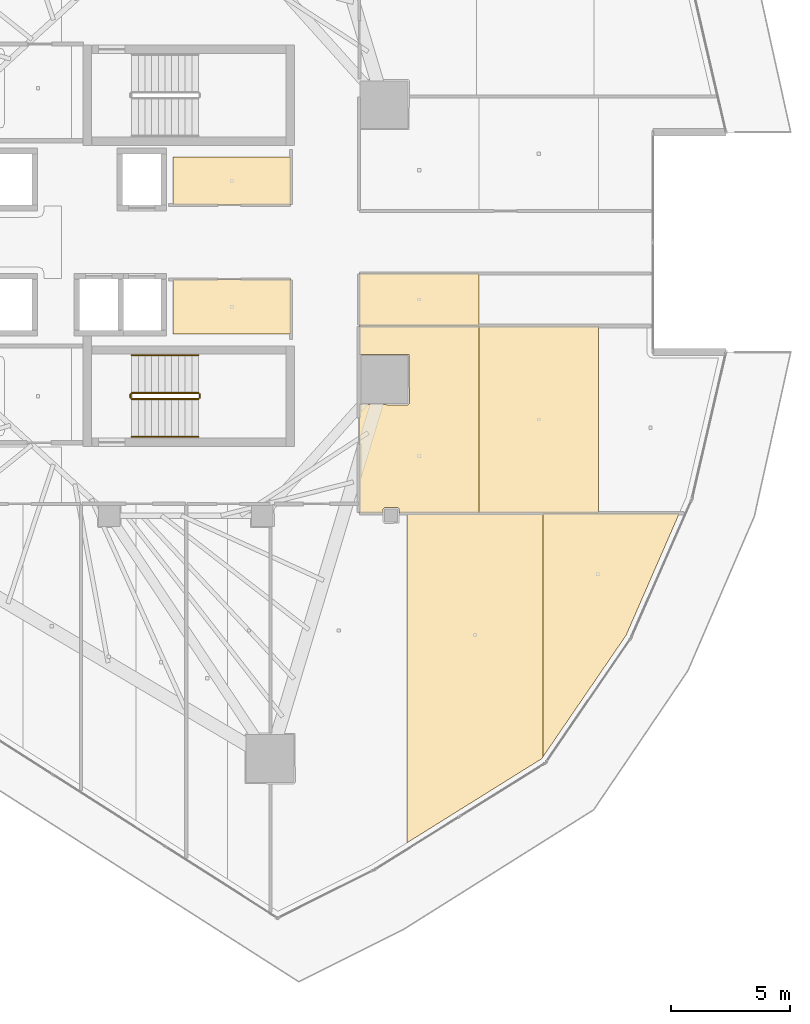
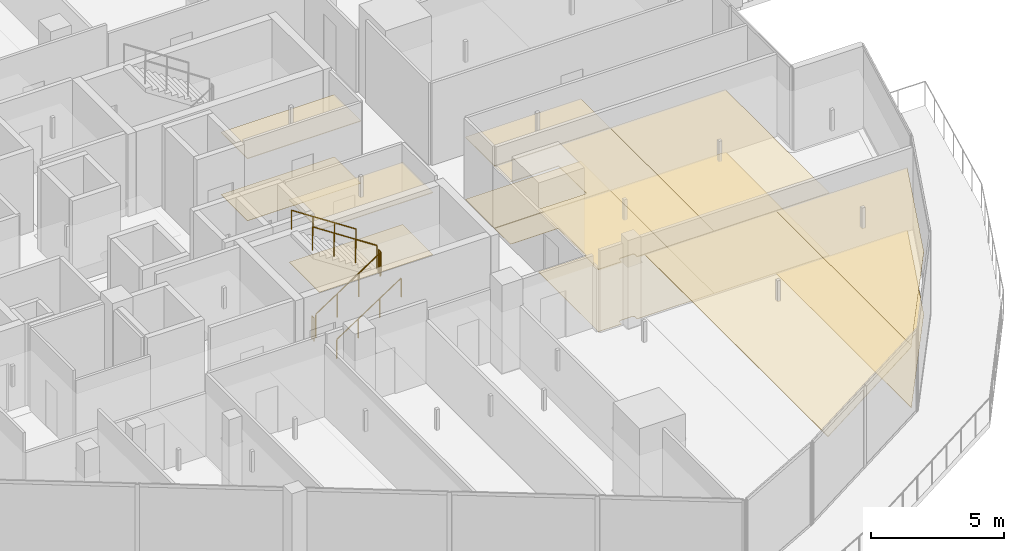
# One storey, part 34 of 37: 13 coverings, 6 railings.
"""IFC4 building model written with IfcOpenShell, lengths in metres."""

from ifc_helpers import new_model, si_unit, direction, frame, origin, origin_2d, place, context, subcontext, project, spatial, polyline, circle, outline, extrude, material, layer, layer_set, type_object, element, save


model = new_model("IFC4")

# Units and contexts
model_context = context("Model", 3, precision=1e-05, world=origin(), true_north=direction((0.0, 1.0)))
body_context = subcontext(model_context, "Body", "Model", "MODEL_VIEW")
ifc_project = project(units=[si_unit("LENGTHUNIT", "METRE"), si_unit("AREAUNIT", "SQUARE_METRE"), si_unit("VOLUMEUNIT", "CUBIC_METRE"), si_unit("PLANEANGLEUNIT", "RADIAN"), si_unit("MASSUNIT", "GRAM", prefix="KILO")], contexts=[model_context])

# Site, building, storey
site_placement = place(None, origin())
site = spatial("IfcSite", under=ifc_project, at=site_placement, CompositionType="ELEMENT")
building_placement = place(site_placement, origin())
building = spatial("IfcBuilding", under=site, at=building_placement, Name="Qorvath Tower", CompositionType="ELEMENT")
storey_placement = place(building_placement, frame((0.0, 0.0, 188.85009765625)))
storey = spatial("IfcBuildingStorey", under=building, at=storey_placement, Name="L43", CompositionType="ELEMENT", Elevation=188.85009765625)

# Coverings
ifc_material_1 = material(Name="Acoustic mineral fibre ceiling tile", Category="gypsum")
ifc_layer_1 = layer(ifc_material_1, 0.030029296875)
ifc_layer_set_1 = layer_set([ifc_layer_1], Name="COV-CEIL")
covering_type_1 = type_object("IfcCoveringType", Name="COV-CEIL", PredefinedType="CEILING", material=ifc_layer_set_1)
covering_1_placement = place(storey_placement, frame((0.0, 0.0, 2.849853515625)))
element("IfcCovering", 1, at=covering_1_placement, inside=storey, type_object=covering_type_1, Name="L43 Suspended Acoustic Ceiling 003", PredefinedType="CEILING", context=body_context, shape_type="SweptSolid", body=[
    extrude(outline(polyline([(-16.0048828125, 3.56005859375), (-20.93994140625, 3.56005859375), (-20.93994140625, 1.56494140625), (-16.0048828125, 1.56494140625), (-16.0048828125, 3.56005859375)])), origin(), (0.0, 0.0, 1.0), 0.030029296875),
])
covering_2_placement = place(storey_placement, frame((0.0, 0.0, 2.849853515625)))
element("IfcCovering", 2, at=covering_2_placement, inside=storey, type_object=covering_type_1, Name="L43 Suspended Acoustic Ceiling 004", PredefinedType="CEILING", context=body_context, shape_type="SweptSolid", body=[
    extrude(outline(polyline([(-20.93994140625, -1.56494140625), (-20.93994140625, -3.85009765625), (-16.0048828125, -3.85009765625), (-16.0048828125, -1.56494140625), (-20.93994140625, -1.56494140625)])), origin(), (0.0, 0.0, 1.0), 0.030029296875),
])
covering_3_placement = place(storey_placement, frame((0.0, 0.0, 2.849853515625)))
element("IfcCovering", 3, at=covering_3_placement, inside=storey, type_object=covering_type_1, Name="L43 Suspended Acoustic Ceiling 028", PredefinedType="CEILING", context=body_context, shape_type="SweptSolid", body=[
    extrude(outline(polyline([(-11.142578125, -11.35888671875), (-11.142578125, -25.159912109375), (-5.496826171875, -21.637451171875), (-5.438720703125, -21.55224609375), (-5.438720703125, -11.361083984375), (-11.142578125, -11.35888671875)])), origin(), (0.0, 0.0, 1.0), 0.030029296875),
])
covering_4_placement = place(storey_placement, frame((0.0, 0.0, 2.849853515625)))
element("IfcCovering", 4, at=covering_4_placement, inside=storey, type_object=covering_type_1, Name="L43 Suspended Acoustic Ceiling 029", PredefinedType="CEILING", context=body_context, shape_type="SweptSolid", body=[
    extrude(outline(polyline([(-5.438720703125, -11.361083984375), (-5.438720703125, -21.55224609375), (-1.960205078125, -16.465087890625), (0.265380859375, -11.36328125), (-5.438720703125, -11.361083984375)])), origin(), (0.0, 0.0, 1.0), 0.030029296875),
])
covering_5_placement = place(storey_placement, frame((0.0, 0.0, 2.849853515625)))
element("IfcCovering", 5, at=covering_5_placement, inside=storey, type_object=covering_type_1, Name="L43 Suspended Acoustic Ceiling 030", PredefinedType="CEILING", context=body_context, shape_type="SweptSolid", body=[
    extrude(outline(polyline([(-8.1220703125, -11.342041015625), (-8.1220703125, -3.514892578125), (-13.136962890625, -3.514892578125), (-13.136962890625, -4.714599609375), (-11.054443359375, -4.715576171875), (-11.036865234375, -6.7578125), (-11.0966796875, -6.81787109375), (-13.136962890625, -6.80126953125), (-13.136962890625, -11.340576171875), (-12.135009765625, -11.341552734375), (-12.135009765625, -11.175048828125), (-12.074951171875, -11.114990234375), (-11.52490234375, -11.114990234375), (-11.465087890625, -11.175048828125), (-11.465087890625, -11.340576171875), (-8.1220703125, -11.342041015625)])), origin(), (0.0, 0.0, 1.0), 0.030029296875),
])
covering_6_placement = place(storey_placement, frame((0.0, 0.0, 2.849853515625)))
element("IfcCovering", 6, at=covering_6_placement, inside=storey, type_object=covering_type_1, Name="L43 Suspended Acoustic Ceiling 031", PredefinedType="CEILING", context=body_context, shape_type="SweptSolid", body=[
    extrude(outline(polyline([(-3.10693359375, -11.343994140625), (-3.10693359375, -3.514892578125), (-8.1220703125, -3.514892578125), (-8.1220703125, -11.342041015625), (-3.10693359375, -11.343994140625)])), origin(), (0.0, 0.0, 1.0), 0.030029296875),
])
covering_7_placement = place(storey_placement, frame((0.0, 0.0, 2.849853515625)))
element("IfcCovering", 7, at=covering_7_placement, inside=storey, type_object=covering_type_1, Name="L43 Suspended Acoustic Ceiling 034", PredefinedType="CEILING", context=body_context, shape_type="SweptSolid", body=[
    extrude(outline(polyline([(-8.1220703125, -3.496826171875), (-8.1220703125, -1.31103515625), (-13.136962890625, -1.31298828125), (-13.136962890625, -3.496826171875), (-8.1220703125, -3.496826171875)])), origin(), (0.0, 0.0, 1.0), 0.030029296875),
])
ifc_material_2 = material(Name="Low-VOC modular carpet tile", Category="textile")
ifc_layer_2 = layer(ifc_material_2, 0.014892578125)
ifc_layer_set_2 = layer_set([ifc_layer_2], Name="COV-FLOOR-CPT")
covering_type_2 = type_object("IfcCoveringType", Name="COV-FLOOR-CPT", PredefinedType="FLOORING", material=ifc_layer_set_2)
covering_8_placement = place(storey_placement, origin())
element("IfcCovering", 8, at=covering_8_placement, inside=storey, type_object=covering_type_2, Name="L43 Floor Finish 003", PredefinedType="FLOORING", context=body_context, shape_type="SweptSolid", body=[
    extrude(outline(polyline([(-16.0048828125, 3.56005859375), (-20.93994140625, 3.56005859375), (-20.93994140625, 1.56494140625), (-16.0048828125, 1.56494140625), (-16.0048828125, 3.56005859375)])), origin(), (0.0, 0.0, 1.0), 0.014892578125),
])
covering_9_placement = place(storey_placement, origin())
element("IfcCovering", 9, at=covering_9_placement, inside=storey, type_object=covering_type_2, Name="L43 Floor Finish 004", PredefinedType="FLOORING", context=body_context, shape_type="SweptSolid", body=[
    extrude(outline(polyline([(-20.93994140625, -1.56494140625), (-20.93994140625, -3.85009765625), (-16.0048828125, -3.85009765625), (-16.0048828125, -1.56494140625), (-20.93994140625, -1.56494140625)])), origin(), (0.0, 0.0, 1.0), 0.014892578125),
])
covering_10_placement = place(storey_placement, origin())
element("IfcCovering", 10, at=covering_10_placement, inside=storey, type_object=covering_type_2, Name="L43 Floor Finish 029", PredefinedType="FLOORING", context=body_context, shape_type="SweptSolid", body=[
    extrude(outline(polyline([(-5.438720703125, -11.361083984375), (-5.438720703125, -21.55224609375), (-1.960205078125, -16.465087890625), (0.265380859375, -11.36328125), (-5.438720703125, -11.361083984375)])), origin(), (0.0, 0.0, 1.0), 0.014892578125),
])
covering_11_placement = place(storey_placement, origin())
element("IfcCovering", 11, at=covering_11_placement, inside=storey, type_object=covering_type_2, Name="L43 Floor Finish 030", PredefinedType="FLOORING", context=body_context, shape_type="SweptSolid", body=[
    extrude(outline(polyline([(-8.1220703125, -11.342041015625), (-8.1220703125, -3.514892578125), (-13.136962890625, -3.514892578125), (-13.136962890625, -4.714599609375), (-11.054443359375, -4.715576171875), (-11.036865234375, -6.7578125), (-11.0966796875, -6.81787109375), (-13.136962890625, -6.80126953125), (-13.136962890625, -11.340576171875), (-12.135009765625, -11.341552734375), (-12.135009765625, -11.175048828125), (-12.074951171875, -11.114990234375), (-11.52490234375, -11.114990234375), (-11.465087890625, -11.175048828125), (-11.465087890625, -11.340576171875), (-8.1220703125, -11.342041015625)])), origin(), (0.0, 0.0, 1.0), 0.014892578125),
])
covering_12_placement = place(storey_placement, origin())
element("IfcCovering", 12, at=covering_12_placement, inside=storey, type_object=covering_type_2, Name="L43 Floor Finish 031", PredefinedType="FLOORING", context=body_context, shape_type="SweptSolid", body=[
    extrude(outline(polyline([(-3.10693359375, -11.343994140625), (-3.10693359375, -3.514892578125), (-8.1220703125, -3.514892578125), (-8.1220703125, -11.342041015625), (-3.10693359375, -11.343994140625)])), origin(), (0.0, 0.0, 1.0), 0.014892578125),
])
covering_13_placement = place(storey_placement, origin())
element("IfcCovering", 13, at=covering_13_placement, inside=storey, type_object=covering_type_2, Name="L43 Floor Finish 034", PredefinedType="FLOORING", context=body_context, shape_type="SweptSolid", body=[
    extrude(outline(polyline([(-8.1220703125, -3.496826171875), (-8.1220703125, -1.31103515625), (-13.136962890625, -1.31298828125), (-13.136962890625, -3.496826171875), (-8.1220703125, -3.496826171875)])), origin(), (0.0, 0.0, 1.0), 0.014892578125),
])

# Railings
ifc_material_3 = material(Name="Painted galvanised steel", Category="steel")
railing_type_1 = type_object("IfcRailingType", Name="RL-STR-GRD", PredefinedType="GUARDRAIL", material=ifc_material_3)
railing_1_placement = place(storey_placement, frame((-22.669921875, -6.570068359375, 0.18408203125)))
element("IfcRailing", 14, at=railing_1_placement, inside=storey, type_object=railing_type_1, Name="L43 TS2 stair guard 1", PredefinedType="GUARDRAIL", context=body_context, shape_type="SweptSolid", body=[
    extrude(circle(Radius=0.02392578125, at=origin_2d()), frame((0.0, 0.0, 1.076171875), z_axis=(0.835575518608, 0.0, 0.549375602573), x_axis=(0.0, 1.0, 0.0)), (0.0, 0.0, 1.0), 3.350830078125),
    extrude(circle(Radius=0.02099609375, at=origin_2d()), origin(), (0.0, 0.0, 1.0), 1.052001953125),
    extrude(circle(Radius=0.02099609375, at=origin_2d()), frame((0.933349609375, 0.0, 0.613525390625)), (0.0, 0.0, 1.0), 1.052001953125),
    extrude(circle(Radius=0.02099609375, at=origin_2d()), frame((1.866455078125, 0.0, 1.227294921875)), (0.0, 0.0, 1.0), 1.052001953125),
    extrude(circle(Radius=0.02099609375, at=origin_2d()), frame((2.7998046875, 0.0, 1.8408203125)), (0.0, 0.0, 1.0), 1.052001953125),
])
railing_2_placement = place(storey_placement, frame((-19.820068359375, -6.52001953125, 2.02490234375)))
element("IfcRailing", 15, at=railing_2_placement, inside=storey, type_object=railing_type_1, Name="L43 TS2 stair guard 2", PredefinedType="GUARDRAIL", context=body_context, shape_type="SweptSolid", body=[
    extrude(circle(Radius=0.02392578125, at=origin_2d()), frame((0.0, 0.0, 1.076171875), z_axis=(0.0, 1.0, 0.0), x_axis=(-1.0, 0.0, 0.0)), (0.0, 0.0, 1.0), 0.14990234375),
    extrude(circle(Radius=0.02099609375, at=origin_2d()), origin(), (0.0, 0.0, 1.0), 1.052001953125),
    extrude(circle(Radius=0.02099609375, at=origin_2d()), frame((0.0, 0.14990234375, 0.0)), (0.0, 0.0, 1.0), 1.052001953125),
])
railing_3_placement = place(storey_placement, frame((-19.8701171875, -6.320068359375, 2.208984375)))
element("IfcRailing", 16, at=railing_3_placement, inside=storey, type_object=railing_type_1, Name="L43 TS2 stair guard 3", PredefinedType="GUARDRAIL", context=body_context, shape_type="SweptSolid", body=[
    extrude(circle(Radius=0.02392578125, at=origin_2d()), frame((0.0, 0.0, 1.076171875), z_axis=(-0.835575518608, 0.0, 0.549375602573), x_axis=(0.0, -1.0, 0.0)), (0.0, 0.0, 1.0), 3.350830078125),
    extrude(circle(Radius=0.02099609375, at=origin_2d()), origin(), (0.0, 0.0, 1.0), 1.052001953125),
    extrude(circle(Radius=0.02099609375, at=origin_2d()), frame((-0.933349609375, 0.0, 0.613525390625)), (0.0, 0.0, 1.0), 1.052001953125),
    extrude(circle(Radius=0.02099609375, at=origin_2d()), frame((-1.866455078125, 0.0, 1.227294921875)), (0.0, 0.0, 1.0), 1.052001953125),
    extrude(circle(Radius=0.02099609375, at=origin_2d()), frame((-2.7998046875, 0.0, 1.8408203125)), (0.0, 0.0, 1.0), 1.052001953125),
])
railing_4_placement = place(storey_placement, frame((-22.719970703125, -6.52001953125, 0.0)))
element("IfcRailing", 17, at=railing_4_placement, inside=storey, type_object=railing_type_1, Name="L43 TS2 stair guard 4", PredefinedType="GUARDRAIL", context=body_context, shape_type="SweptSolid", body=[
    extrude(circle(Radius=0.02392578125, at=origin_2d()), frame((0.0, 0.0, 1.076171875), z_axis=(0.0, 1.0, 0.0), x_axis=(-1.0, 0.0, 0.0)), (0.0, 0.0, 1.0), 0.14990234375),
    extrude(circle(Radius=0.02099609375, at=origin_2d()), origin(), (0.0, 0.0, 1.0), 1.052001953125),
    extrude(circle(Radius=0.02099609375, at=origin_2d()), frame((0.0, 0.14990234375, 0.0)), (0.0, 0.0, 1.0), 1.052001953125),
])
ifc_material_4 = material(Name="Brushed stainless steel AISI 304", Category="steel")
railing_type_2 = type_object("IfcRailingType", Name="RL-STR-HND", PredefinedType="HANDRAIL", material=ifc_material_4)
railing_5_placement = place(storey_placement, frame((-22.669921875, -8.14990234375, 0.18408203125)))
element("IfcRailing", 18, at=railing_5_placement, inside=storey, type_object=railing_type_2, Name="L43 TS2 stair handrail 1", PredefinedType="HANDRAIL", context=body_context, shape_type="SweptSolid", body=[
    extrude(circle(Radius=0.02392578125, at=origin_2d()), frame((0.0, 0.0, 0.8759765625), z_axis=(0.835575518608, 0.0, 0.549375602573), x_axis=(0.0, 1.0, 0.0)), (0.0, 0.0, 1.0), 3.350830078125),
    extrude(circle(Radius=0.02099609375, at=origin_2d()), origin(), (0.0, 0.0, 1.0), 0.851806640625),
    extrude(circle(Radius=0.02099609375, at=origin_2d()), frame((0.933349609375, 0.0, 0.613525390625)), (0.0, 0.0, 1.0), 0.851806640625),
    extrude(circle(Radius=0.02099609375, at=origin_2d()), frame((1.866455078125, 0.0, 1.227294921875)), (0.0, 0.0, 1.0), 0.851806640625),
    extrude(circle(Radius=0.02099609375, at=origin_2d()), frame((2.7998046875, 0.0, 1.8408203125)), (0.0, 0.0, 1.0), 0.851806640625),
])
railing_6_placement = place(storey_placement, frame((-19.8701171875, -4.739990234375, 2.208984375)))
element("IfcRailing", 19, at=railing_6_placement, inside=storey, type_object=railing_type_2, Name="L43 TS2 stair handrail 2", PredefinedType="HANDRAIL", context=body_context, shape_type="SweptSolid", body=[
    extrude(circle(Radius=0.02392578125, at=origin_2d()), frame((0.0, 0.0, 0.8759765625), z_axis=(-0.835575518608, 0.0, 0.549375602573), x_axis=(0.0, -1.0, 0.0)), (0.0, 0.0, 1.0), 3.350830078125),
    extrude(circle(Radius=0.02099609375, at=origin_2d()), origin(), (0.0, 0.0, 1.0), 0.851806640625),
    extrude(circle(Radius=0.02099609375, at=origin_2d()), frame((-0.933349609375, 0.0, 0.613525390625)), (0.0, 0.0, 1.0), 0.851806640625),
    extrude(circle(Radius=0.02099609375, at=origin_2d()), frame((-1.866455078125, 0.0, 1.227294921875)), (0.0, 0.0, 1.0), 0.851806640625),
    extrude(circle(Radius=0.02099609375, at=origin_2d()), frame((-2.7998046875, 0.0, 1.8408203125)), (0.0, 0.0, 1.0), 0.851806640625),
])

save(model, "model.ifc")
